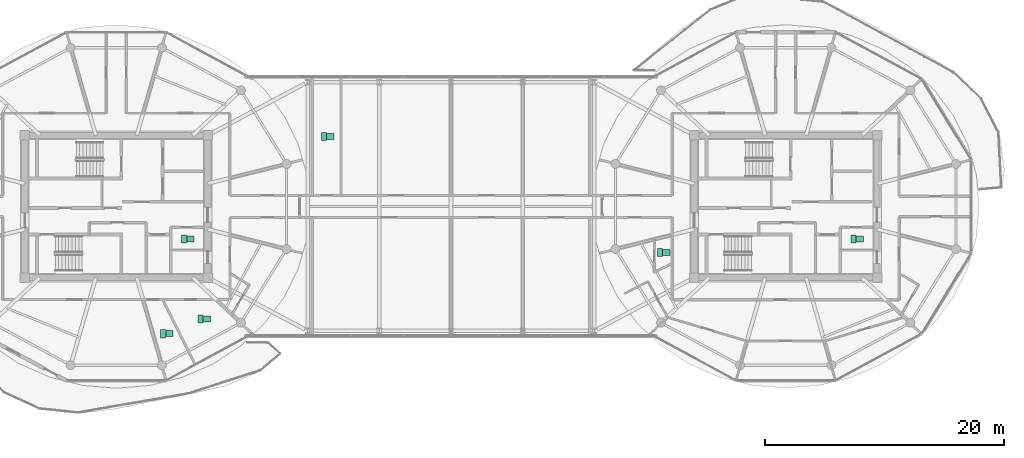
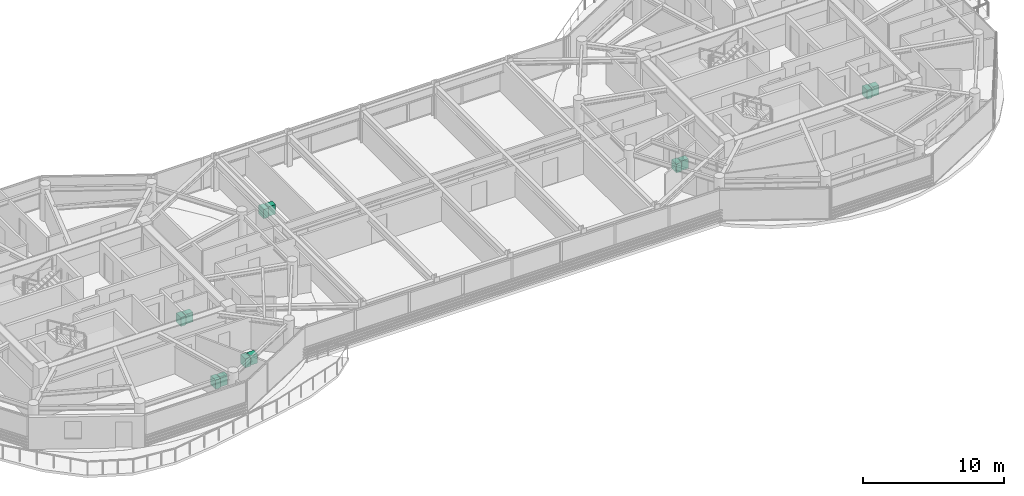
# One storey, part 24 of 24: 12 sanitary terminals.
"""IFC4 building model written with IfcOpenShell, lengths in metres."""

from ifc_helpers import new_model, si_unit, direction, frame, origin, origin_2d, place, context, subcontext, project, spatial, rectangle, extrude, source, transform, mapped, material, type_object, type_shapes, element, save


model = new_model("IFC4")

# Units and contexts
model_context = context("Model", 3, precision=1e-05, world=origin(), true_north=direction((0.0, 1.0)))
body_context = subcontext(model_context, "Body", "Model", "MODEL_VIEW")
ifc_project = project(units=[si_unit("LENGTHUNIT", "METRE"), si_unit("AREAUNIT", "SQUARE_METRE"), si_unit("VOLUMEUNIT", "CUBIC_METRE"), si_unit("PLANEANGLEUNIT", "RADIAN"), si_unit("MASSUNIT", "GRAM", prefix="KILO")], contexts=[model_context])

# Site, building, storey
site_placement = place(None, origin())
site = spatial("IfcSite", under=ifc_project, at=site_placement, CompositionType="ELEMENT")
building_placement = place(site_placement, origin())
building = spatial("IfcBuilding", under=site, at=building_placement, Name="Norrkilde Senior Care Towers", CompositionType="ELEMENT")
storey_placement = place(building_placement, frame((0.0, 0.0, 226.10009765625)))
storey = spatial("IfcBuildingStorey", under=building, at=storey_placement, Name="L70", CompositionType="ELEMENT", Elevation=226.10009765625)

# Sanitary terminals
ifc_material = material(Name="Porcelain Ceramic")
sanitary_terminal_type_1 = type_object("IfcSanitaryTerminalType", Name="Accessible Senior WC Suite", PredefinedType="TOILETPAN", material=ifc_material)
shared_shape_1 = source(origin(), body_context, "Body", "SweptSolid", [
    extrude(rectangle(XDim=0.419921875, YDim=0.679931640625, at=origin_2d()), origin(), (0.0, 0.0, 1.0), 0.780029296875),
])
type_shapes(sanitary_terminal_type_1, [shared_shape_1])
for number, where, z_axis, x_axis, name in (
    (1, (-22.324951171875, -2.715087890625, 0.0), (0.0, 0.0, 1.0), (1.0, 0.0, 0.0), "L70 Accessible WC Pan 0185"),
    (2, (-24.085693359375, -10.64404296875, 0.0), (0.0, 0.0, 1.0), (1.0, 0.0, 0.0), "L70 Accessible WC Pan 0186"),
    (3, (-20.936279296875, -9.407958984375, 0.0), (0.0, 0.0, 1.0), (1.0, 0.0, 0.0), "L70 Accessible WC Pan 0187"),
    (4, (33.675048828125, -2.715087890625, 0.0), (0.0, 0.0, 1.0), (1.0, 0.0, 0.0), "L70 Accessible WC Pan 0188"),
    (5, (17.47265625, -3.848388671875, 0.0), (0.0, 0.0, 1.0), (1.0, 0.0, 0.0), "L70 Accessible WC Pan 0189"),
    (6, (-10.6298828125, 5.8701171875, 0.0), (0.0, 0.0, 1.0), (1.0, 0.0, 0.0), "L70 Accessible WC Pan 0190"),
):
    element("IfcSanitaryTerminal", number, at=place(storey_placement, frame(where, z_axis=z_axis, x_axis=x_axis)), inside=storey, type_object=sanitary_terminal_type_1, Name=name, PredefinedType="TOILETPAN", context=body_context, shape_type="MappedRepresentation", body=[
        mapped(shared_shape_1, transform((0.0, 0.0, 0.0), x_axis=(1.0, 0.0, 0.0), y_axis=(0.0, 1.0, 0.0), z_axis=(0.0, 0.0, 1.0), scale=1.0)),
    ])
sanitary_terminal_type_2 = type_object("IfcSanitaryTerminalType", Name="Thermostatic Care Washbasin", PredefinedType="WASHHANDBASIN", material=ifc_material)
shared_shape_2 = source(origin(), body_context, "Body", "SweptSolid", [
    extrude(rectangle(XDim=0.60009765625, YDim=0.5, at=origin_2d()), origin(), (0.0, 0.0, 1.0), 0.820068359375),
])
type_shapes(sanitary_terminal_type_2, [shared_shape_2])
for number, where, z_axis, x_axis, name in (
    (7, (-21.794921875, -2.715087890625, 0.0), (0.0, 0.0, 1.0), (1.0, 0.0, 0.0), "L70 Accessible Washbasin 0185"),
    (8, (-23.5556640625, -10.64404296875, 0.0), (0.0, 0.0, 1.0), (1.0, 0.0, 0.0), "L70 Accessible Washbasin 0186"),
    (9, (-20.40625, -9.407958984375, 0.0), (0.0, 0.0, 1.0), (1.0, 0.0, 0.0), "L70 Accessible Washbasin 0187"),
    (10, (34.205078125, -2.715087890625, 0.0), (0.0, 0.0, 1.0), (1.0, 0.0, 0.0), "L70 Accessible Washbasin 0188"),
    (11, (18.002685546875, -3.848388671875, 0.0), (0.0, 0.0, 1.0), (1.0, 0.0, 0.0), "L70 Accessible Washbasin 0189"),
    (12, (-10.10009765625, 5.8701171875, 0.0), (0.0, 0.0, 1.0), (1.0, 0.0, 0.0), "L70 Accessible Washbasin 0190"),
):
    element("IfcSanitaryTerminal", number, at=place(storey_placement, frame(where, z_axis=z_axis, x_axis=x_axis)), inside=storey, type_object=sanitary_terminal_type_2, Name=name, PredefinedType="WASHHANDBASIN", context=body_context, shape_type="MappedRepresentation", body=[
        mapped(shared_shape_2, transform((0.0, 0.0, 0.0), x_axis=(1.0, 0.0, 0.0), y_axis=(0.0, 1.0, 0.0), z_axis=(0.0, 0.0, 1.0), scale=1.0)),
    ])

save(model, "model.ifc")
